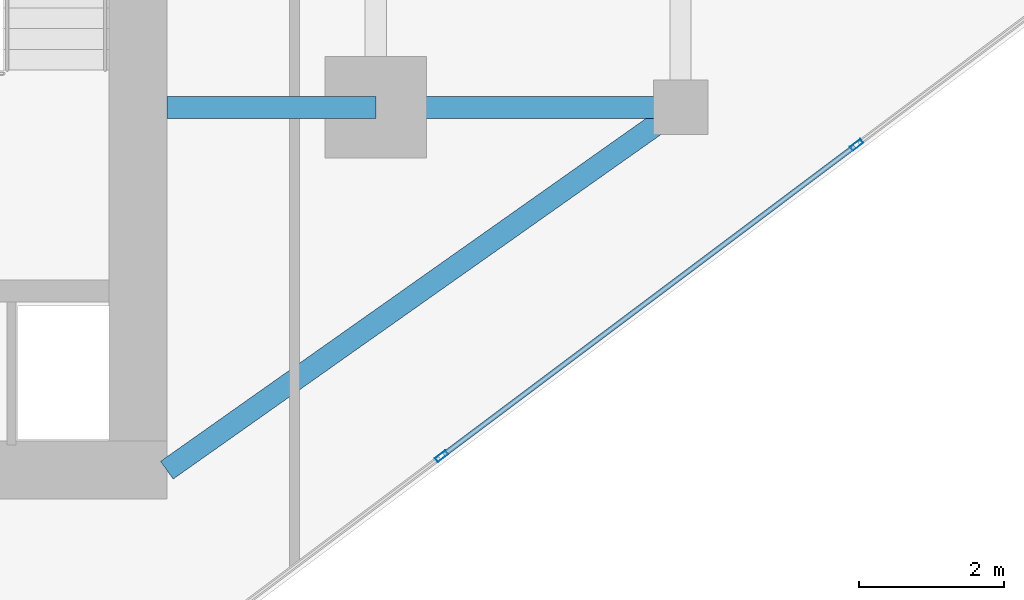
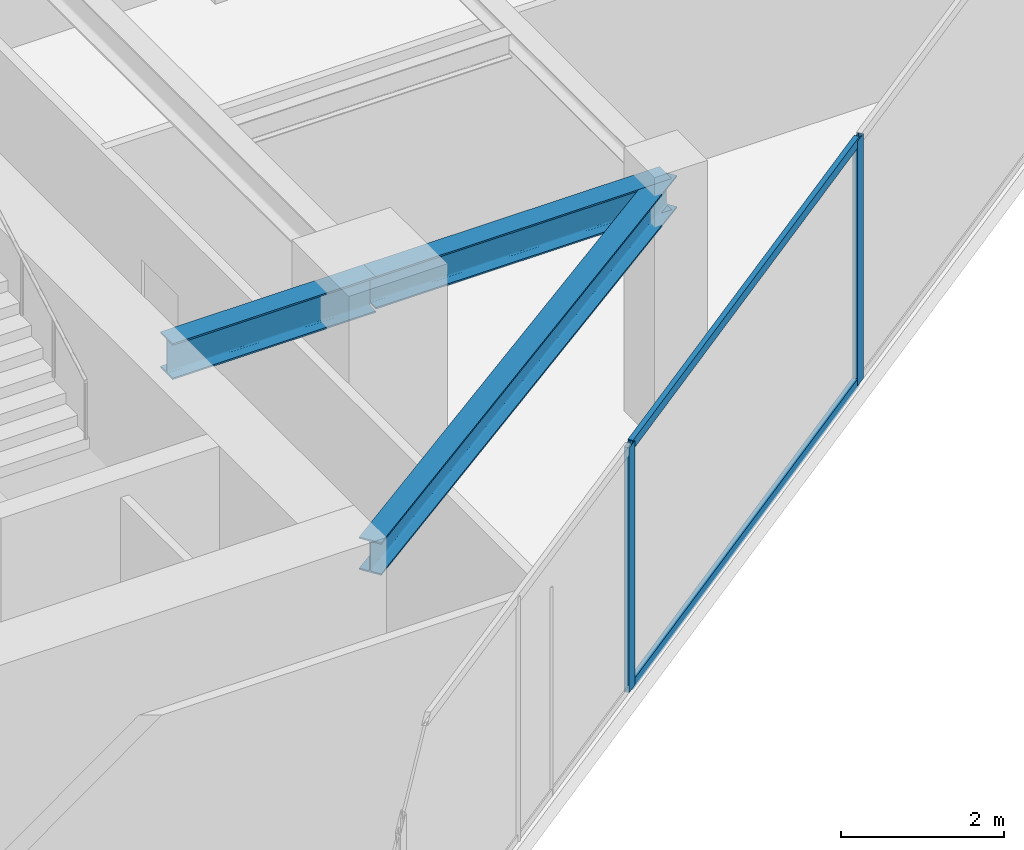
# One storey, part 7 of 21: 4 members, 3 beams, 1 element without a shape of its own.
"""IFC4 building model written with IfcOpenShell, lengths in metres."""

from ifc_helpers import new_model, si_unit, direction, frame, origin, origin_2d, place, context, subcontext, project, spatial, hollow_rectangle, i_section, extrude, source, transform, mapped, material, material_profile, profile_set, type_object, type_shapes, element, aggregate, save


model = new_model("IFC4")

# Units and contexts
model_context = context("Model", 3, precision=1e-05, world=origin(), true_north=direction((0.0, 1.0)))
body_context = subcontext(model_context, "Body", "Model", "MODEL_VIEW")
ifc_project = project(units=[si_unit("LENGTHUNIT", "METRE"), si_unit("AREAUNIT", "SQUARE_METRE"), si_unit("VOLUMEUNIT", "CUBIC_METRE"), si_unit("PLANEANGLEUNIT", "RADIAN"), si_unit("MASSUNIT", "GRAM", prefix="KILO")], contexts=[model_context])

# Site, building, storey
site_placement = place(None, origin())
site = spatial("IfcSite", under=ifc_project, at=site_placement, CompositionType="ELEMENT")
building_placement = place(site_placement, origin())
building = spatial("IfcBuilding", under=site, at=building_placement, Name="Krantzveldt Concourse Tower", CompositionType="ELEMENT")
storey_placement = place(building_placement, frame((0.0, 0.0, 267.39990234375)))
storey = spatial("IfcBuildingStorey", under=building, at=storey_placement, Name="L65", CompositionType="ELEMENT", Elevation=267.39990234375)

# Beams
ifc_material_1 = material(Name="Steel S355JR", Category="steel")
ifc_material_profile_1 = material_profile(ifc_material_1, i_section(OverallWidth=0.300048828125, OverallDepth=0.489990234375, WebThickness=0.011962890625, FlangeThickness=0.02294921875, FilletRadius=0.027099609375, at=origin_2d()), Name="Steel S355JR", Category="steel")
ifc_profile_set_1 = profile_set([ifc_material_profile_1], Name="Steel S355JR - HEA 500")
beam_type_1 = type_object("IfcBeamType", Name="BM-B-HEA500", PredefinedType="BEAM", material=ifc_profile_set_1)
shared_shape_1 = source(origin(), body_context, "Body", "SweptSolid", [
    extrude(i_section(OverallWidth=0.300048828125, OverallDepth=0.489990234375, WebThickness=0.011962890625, FlangeThickness=0.02294921875, FilletRadius=0.027099609375, at=origin_2d()), origin(), (0.0, 0.0, 1.0), 4.199951171875),
])
beam_1_placement = place(storey_placement, frame((46.800048828125, 15.89990234375, 3.425048828125), z_axis=(1.0, 0.0, 0.0), x_axis=(0.0, 1.0, 0.0)))
element("IfcBeam", 1, at=beam_1_placement, inside=storey, type_object=beam_type_1, Name="L65 Tower Girder BR-RR1", PredefinedType="BEAM", context=body_context, shape_type="MappedRepresentation", body=[
    mapped(shared_shape_1, transform((0.0, 0.0, 0.0), x_axis=(1.0, 0.0, 0.0), y_axis=(0.0, 1.0, 0.0), z_axis=(0.0, 0.0, 1.0), scale=1.0)),
])
shared_shape_2 = source(origin(), body_context, "Body", "SweptSolid", [
    extrude(i_section(OverallWidth=0.300048828125, OverallDepth=0.489990234375, WebThickness=0.011962890625, FlangeThickness=0.02294921875, FilletRadius=0.027099609375, at=origin_2d()), origin(), (0.0, 0.0, 1.0), 8.667724609375),
])
type_shapes(beam_type_1, [shared_shape_1, shared_shape_2])
beam_2_placement = place(storey_placement, frame((51.0, 15.89990234375, 3.425048828125), z_axis=(-0.81684294656, -0.576860122261, 0.0), x_axis=(0.576860122261, -0.81684294656, 0.0)))
element("IfcBeam", 2, at=beam_2_placement, inside=storey, type_object=beam_type_1, Name="L65 Tower Girder BR-CSE", PredefinedType="BEAM", context=body_context, shape_type="MappedRepresentation", body=[
    mapped(shared_shape_2, transform((0.0, 0.0, 0.0), x_axis=(1.0, 0.0, 0.0), y_axis=(0.0, 1.0, 0.0), z_axis=(0.0, 0.0, 1.0), scale=1.0)),
])
ifc_material_profile_2 = material_profile(ifc_material_1, i_section(OverallWidth=0.300048828125, OverallDepth=0.5400390625, WebThickness=0.012451171875, FlangeThickness=0.02392578125, FilletRadius=0.027099609375, at=origin_2d()), Name="Steel S355JR", Category="steel")
ifc_profile_set_2 = profile_set([ifc_material_profile_2], Name="Steel S355JR - HEA 550")
beam_type_2 = type_object("IfcBeamType", Name="BM-B-HEA550", PredefinedType="BEAM", material=ifc_profile_set_2)
shared_shape_3 = source(origin(), body_context, "Body", "SweptSolid", [
    extrude(i_section(OverallWidth=0.300048828125, OverallDepth=0.5400390625, WebThickness=0.012451171875, FlangeThickness=0.02392578125, FilletRadius=0.027099609375, at=origin_2d()), origin(), (0.0, 0.0, 1.0), 2.880126953125),
])
type_shapes(beam_type_2, [shared_shape_3])
beam_3_placement = place(storey_placement, frame((43.919921875, 15.89990234375, 3.400146484375), z_axis=(1.0, 0.0, 0.0), x_axis=(0.0, 1.0, 0.0)))
element("IfcBeam", 3, at=beam_3_placement, inside=storey, type_object=beam_type_2, Name="L65 Tower Girder BG-CE1", PredefinedType="BEAM", context=body_context, shape_type="MappedRepresentation", body=[
    mapped(shared_shape_3, transform((0.0, 0.0, 0.0), x_axis=(1.0, 0.0, 0.0), y_axis=(0.0, 1.0, 0.0), z_axis=(0.0, 0.0, 1.0), scale=1.0)),
])

# Curtain wall, members
ifc_material_2 = material(Name="Anodised aluminium 6063-T6", Category="aluminium")
curtain_wall_type = type_object("IfcCurtainWallType", Name="CW4", PredefinedType="USERDEFINED", material=ifc_material_2)
curtain_wall_placement = place(storey_placement, origin())
curtain_wall = element("IfcCurtainWall", 4, at=curtain_wall_placement, inside=storey, type_object=curtain_wall_type, Name="CW-L65-F07", ObjectType="UNITISED CURTAIN WALL", PredefinedType="USERDEFINED")
ifc_material_profile_3 = material_profile(ifc_material_2, hollow_rectangle(XDim=0.070068359375, YDim=0.179931640625, WallThickness=0.0048828125, at=origin_2d()), Name="Anodised aluminium 6063-T6", Category="aluminium")
ifc_profile_set_3 = profile_set([ifc_material_profile_3], Name="Anodised aluminium 6063-T6 - ALU-MULL 180x70x5")
member_type_1 = type_object("IfcMemberType", Name="CW-MUL-180", PredefinedType="MULLION", material=ifc_profile_set_3)
shared_shape_4 = source(origin(), body_context, "Body", "SweptSolid", [
    extrude(hollow_rectangle(XDim=0.070068359375, YDim=0.179931640625, WallThickness=0.0048828125, at=origin_2d()), origin(), (0.0, 0.0, 1.0), 3.670166015625),
])
type_shapes(member_type_1, [shared_shape_4])
member_1_placement = place(storey_placement, frame((47.707275390625, 11.093017578125, 0.0), z_axis=(0.0, 0.0, 1.0), x_axis=(-0.600071326292, 0.799946500313, 0.0)))
member_1 = element("IfcMember", 5, at=member_1_placement, type_object=member_type_1, Name="CW-Z56 mullion 3", PredefinedType="MULLION", context=body_context, shape_type="MappedRepresentation", body=[
    mapped(shared_shape_4, transform((0.0, 0.0, 0.0), x_axis=(1.0, 0.0, 0.0), y_axis=(0.0, 1.0, 0.0), z_axis=(0.0, 0.0, 1.0), scale=1.0)),
])
member_2_placement = place(storey_placement, frame((53.427001953125, 15.383544921875, 0.0), z_axis=(0.0, 0.0, 1.0), x_axis=(-0.600071326292, 0.799946500313, 0.0)))
member_2 = element("IfcMember", 6, at=member_2_placement, type_object=member_type_1, Name="CW-Z56 mullion 4", PredefinedType="MULLION", context=body_context, shape_type="MappedRepresentation", body=[
    mapped(shared_shape_4, transform((0.0, 0.0, 0.0), x_axis=(1.0, 0.0, 0.0), y_axis=(0.0, 1.0, 0.0), z_axis=(0.0, 0.0, 1.0), scale=1.0)),
])
ifc_material_profile_4 = material_profile(ifc_material_2, hollow_rectangle(XDim=0.070068359375, YDim=0.139892578125, WallThickness=0.0048828125, at=origin_2d()), Name="Anodised aluminium 6063-T6", Category="aluminium")
ifc_profile_set_4 = profile_set([ifc_material_profile_4], Name="Anodised aluminium 6063-T6 - ALU-TRAN 140x70x5")
member_type_2 = type_object("IfcMemberType", Name="CW-TRN-150", PredefinedType="USERDEFINED", material=ifc_profile_set_4)
shared_shape_5 = source(origin(), body_context, "Body", "SweptSolid", [
    extrude(hollow_rectangle(XDim=0.070068359375, YDim=0.139892578125, WallThickness=0.0048828125, at=origin_2d()), origin(), (0.0, 0.0, 1.0), 7.080078125),
])
type_shapes(member_type_2, [shared_shape_5])
member_3_placement = place(storey_placement, frame((47.7353515625, 11.114013671875, 0.03515625), z_axis=(0.799942064438, 0.600077239648, 0.0), x_axis=(-0.600077239648, 0.799942064438, 0.0)))
member_3 = element("IfcMember", 7, at=member_3_placement, type_object=member_type_2, Name="CW-Z56 transom 3.1", ObjectType="TRANSOM", PredefinedType="USERDEFINED", context=body_context, shape_type="MappedRepresentation", body=[
    mapped(shared_shape_5, transform((0.0, 0.0, 0.0), x_axis=(1.0, 0.0, 0.0), y_axis=(0.0, 1.0, 0.0), z_axis=(0.0, 0.0, 1.0), scale=1.0)),
])
member_4_placement = place(storey_placement, frame((47.7353515625, 11.114013671875, 3.635009765625), z_axis=(0.799942064438, 0.600077239648, 0.0), x_axis=(-0.600077239648, 0.799942064438, 0.0)))
member_4 = element("IfcMember", 8, at=member_4_placement, type_object=member_type_2, Name="CW-Z56 transom 3.2", ObjectType="TRANSOM", PredefinedType="USERDEFINED", context=body_context, shape_type="MappedRepresentation", body=[
    mapped(shared_shape_5, transform((0.0, 0.0, 0.0), x_axis=(1.0, 0.0, 0.0), y_axis=(0.0, 1.0, 0.0), z_axis=(0.0, 0.0, 1.0), scale=1.0)),
])
aggregate(curtain_wall, [member_1, member_2, member_3, member_4])

save(model, "model.ifc")
